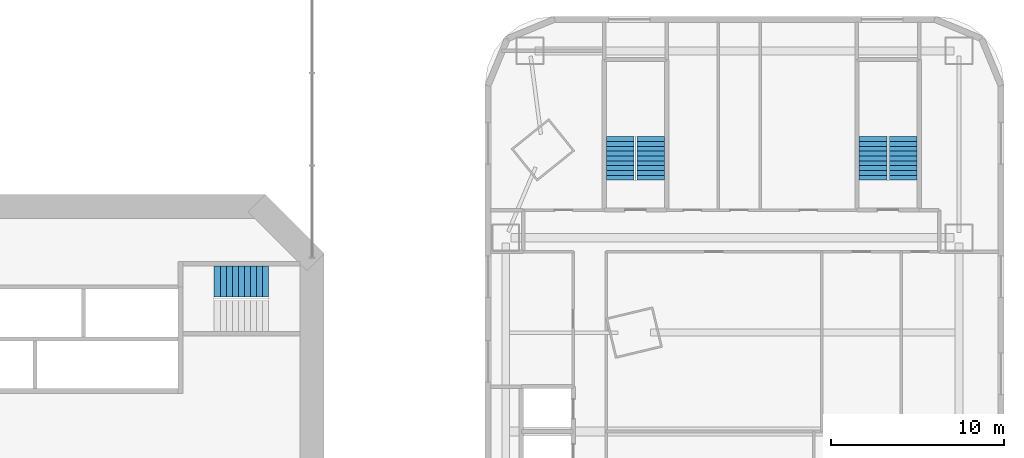
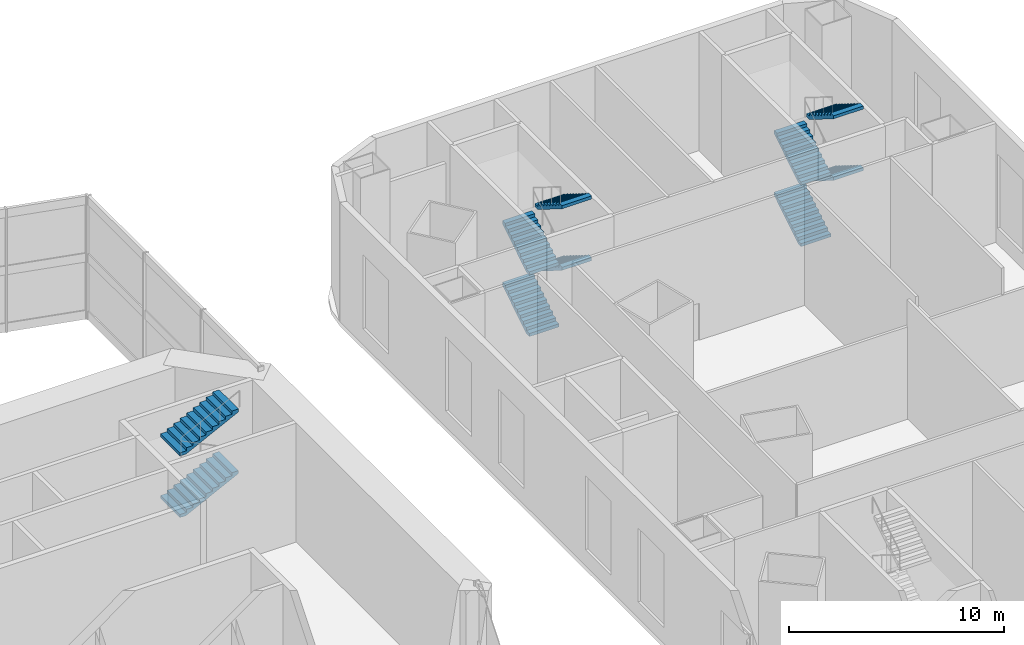
# One storey, part 17 of 19: 10 stair flights, 3 elements without a shape of their own.
"""IFC4 building model written with IfcOpenShell, lengths in metres."""

from ifc_helpers import new_model, si_unit, direction, frame, origin, place, context, subcontext, project, spatial, polyline, outline, extrude, material, type_object, element, aggregate, save


model = new_model("IFC4")

# Units and contexts
model_context = context("Model", 3, precision=1e-05, world=origin(), true_north=direction((0.0, 1.0)))
body_context = subcontext(model_context, "Body", "Model", "MODEL_VIEW")
ifc_project = project(units=[si_unit("LENGTHUNIT", "METRE"), si_unit("AREAUNIT", "SQUARE_METRE"), si_unit("VOLUMEUNIT", "CUBIC_METRE"), si_unit("PLANEANGLEUNIT", "RADIAN"), si_unit("MASSUNIT", "GRAM", prefix="KILO")], contexts=[model_context])

# Site, building, storey
site_placement = place(None, origin())
site = spatial("IfcSite", under=ifc_project, at=site_placement, CompositionType="ELEMENT")
building_placement = place(site_placement, origin())
building = spatial("IfcBuilding", under=site, at=building_placement, Name="Marenthal Gate Tower", CompositionType="ELEMENT")
storey_placement = place(building_placement, frame((0.0, 0.0, 12.0)))
storey = spatial("IfcBuildingStorey", under=building, at=storey_placement, Name="L01", CompositionType="ELEMENT", Elevation=12.0)

# Stair, stair flights
ifc_material_1 = material(Name="Concrete 40 MPa", Category="concrete")
stair_type_1 = type_object("IfcStairType", Name="Exit stair 1600", PredefinedType="HALF_TURN_STAIR", material=ifc_material_1)
stair_1_placement = place(storey_placement, origin())
stair_1 = element("IfcStair", 1, at=stair_1_placement, inside=storey, type_object=stair_type_1, Name="Stair E1", PredefinedType="HALF_TURN_STAIR")
ifc_material_2 = material(Name="Concrete 40 MPa", Category="concrete")
stair_flight_type_1 = type_object("IfcStairFlightType", Name="Stair flight 1600", PredefinedType="STRAIGHT", material=ifc_material_2)
stair_flight_1_placement = place(storey_placement, frame((33.824951171875, 14.52490234375, 0.0), z_axis=(0.0, 0.0, 1.0), x_axis=(0.0, 1.0, 0.0)))
stair_flight_1 = element("IfcStairFlight", 2, at=stair_flight_1_placement, type_object=stair_flight_type_1, Name="E1 flight 1", NumberOfRisers=10, NumberOfTreads=9, PredefinedType="STRAIGHT", RiserHeight=0.175, TreadLength=0.28, context=body_context, shape_type="SweptSolid", body=[
    extrude(outline(polyline([(0.0, 0.0), (0.0, 0.175048828125), (0.280029296875, 0.175048828125), (0.280029296875, 0.35009765625), (0.56005859375, 0.35009765625), (0.56005859375, 0.52490234375), (0.840087890625, 0.52490234375), (0.840087890625, 0.699951171875), (1.1201171875, 0.699951171875), (1.1201171875, 0.875), (1.39990234375, 0.875), (1.39990234375, 1.050048828125), (1.679931640625, 1.050048828125), (1.679931640625, 1.22509765625), (1.9599609375, 1.22509765625), (1.9599609375, 1.39990234375), (2.239990234375, 1.39990234375), (2.239990234375, 1.574951171875), (2.52001953125, 1.574951171875), (2.52001953125, 1.75), (2.52001953125, 1.398193359375), (0.28271484375, 0.0), (0.0, 0.0)])), frame((0.0, 0.800048828125, 0.0), z_axis=(0.0, -1.0, 0.0), x_axis=(1.0, 0.0, 0.0)), (0.0, 0.0, 1.0), 1.60009765625),
])
stair_flight_2_placement = place(storey_placement, frame((35.574951171875, 17.044921875, 1.75), z_axis=(0.0, 0.0, 1.0), x_axis=(0.0, -1.0, 0.0)))
stair_flight_2 = element("IfcStairFlight", 3, at=stair_flight_2_placement, type_object=stair_flight_type_1, Name="E1 flight 2", NumberOfRisers=10, NumberOfTreads=9, PredefinedType="STRAIGHT", RiserHeight=0.175, TreadLength=0.28, context=body_context, shape_type="SweptSolid", body=[
    extrude(outline(polyline([(0.0, 0.0), (0.0, 0.175048828125), (0.280029296875, 0.175048828125), (0.280029296875, 0.35009765625), (0.56005859375, 0.35009765625), (0.56005859375, 0.52490234375), (0.840087890625, 0.52490234375), (0.840087890625, 0.699951171875), (1.1201171875, 0.699951171875), (1.1201171875, 0.875), (1.39990234375, 0.875), (1.39990234375, 1.050048828125), (1.679931640625, 1.050048828125), (1.679931640625, 1.22509765625), (1.9599609375, 1.22509765625), (1.9599609375, 1.39990234375), (2.239990234375, 1.39990234375), (2.239990234375, 1.574951171875), (2.52001953125, 1.574951171875), (2.52001953125, 1.75), (2.52001953125, 1.398193359375), (0.28271484375, 0.0), (0.0, 0.0)])), frame((0.0, 0.800048828125, 0.0), z_axis=(0.0, -1.0, 0.0), x_axis=(1.0, 0.0, 0.0)), (0.0, 0.0, 1.0), 1.60009765625),
])
stair_flight_3_placement = place(storey_placement, frame((33.824951171875, 14.52490234375, 3.5), z_axis=(0.0, 0.0, 1.0), x_axis=(0.0, 1.0, 0.0)))
stair_flight_3 = element("IfcStairFlight", 4, at=stair_flight_3_placement, type_object=stair_flight_type_1, Name="E1 flight 3", NumberOfRisers=10, NumberOfTreads=9, PredefinedType="STRAIGHT", RiserHeight=0.175, TreadLength=0.28, context=body_context, shape_type="SweptSolid", body=[
    extrude(outline(polyline([(0.0, 0.0), (0.0, 0.175048828125), (0.280029296875, 0.175048828125), (0.280029296875, 0.35009765625), (0.56005859375, 0.35009765625), (0.56005859375, 0.52490234375), (0.840087890625, 0.52490234375), (0.840087890625, 0.699951171875), (1.1201171875, 0.699951171875), (1.1201171875, 0.875), (1.39990234375, 0.875), (1.39990234375, 1.050048828125), (1.679931640625, 1.050048828125), (1.679931640625, 1.22509765625), (1.9599609375, 1.22509765625), (1.9599609375, 1.39990234375), (2.239990234375, 1.39990234375), (2.239990234375, 1.574951171875), (2.52001953125, 1.574951171875), (2.52001953125, 1.75), (2.52001953125, 1.398193359375), (0.28271484375, 0.0), (0.0, 0.0)])), frame((0.0, 0.800048828125, 0.0), z_axis=(0.0, -1.0, 0.0), x_axis=(1.0, 0.0, 0.0)), (0.0, 0.0, 1.0), 1.60009765625),
])
stair_flight_4_placement = place(storey_placement, frame((35.574951171875, 17.044921875, 5.25), z_axis=(0.0, 0.0, 1.0), x_axis=(0.0, -1.0, 0.0)))
stair_flight_4 = element("IfcStairFlight", 5, at=stair_flight_4_placement, type_object=stair_flight_type_1, Name="E1 flight 4", NumberOfRisers=10, NumberOfTreads=9, PredefinedType="STRAIGHT", RiserHeight=0.175, TreadLength=0.28, context=body_context, shape_type="SweptSolid", body=[
    extrude(outline(polyline([(0.0, 0.0), (0.0, 0.175048828125), (0.280029296875, 0.175048828125), (0.280029296875, 0.35009765625), (0.56005859375, 0.35009765625), (0.56005859375, 0.52490234375), (0.840087890625, 0.52490234375), (0.840087890625, 0.699951171875), (1.1201171875, 0.699951171875), (1.1201171875, 0.875), (1.39990234375, 0.875), (1.39990234375, 1.050048828125), (1.679931640625, 1.050048828125), (1.679931640625, 1.22509765625), (1.9599609375, 1.22509765625), (1.9599609375, 1.39990234375), (2.239990234375, 1.39990234375), (2.239990234375, 1.574951171875), (2.52001953125, 1.574951171875), (2.52001953125, 1.75), (2.52001953125, 1.398193359375), (0.28271484375, 0.0), (0.0, 0.0)])), frame((0.0, 0.800048828125, 0.0), z_axis=(0.0, -1.0, 0.0), x_axis=(1.0, 0.0, 0.0)), (0.0, 0.0, 1.0), 1.60009765625),
])
aggregate(stair_1, [stair_flight_1, stair_flight_2, stair_flight_3, stair_flight_4])

stair_2_placement = place(storey_placement, origin())
stair_2 = element("IfcStair", 6, at=stair_2_placement, inside=storey, type_object=stair_type_1, Name="Stair E3", PredefinedType="HALF_TURN_STAIR")
stair_flight_5_placement = place(storey_placement, frame((48.425048828125, 14.52490234375, 0.0), z_axis=(0.0, 0.0, 1.0), x_axis=(0.0, 1.0, 0.0)))
stair_flight_5 = element("IfcStairFlight", 7, at=stair_flight_5_placement, type_object=stair_flight_type_1, Name="E3 flight 1", NumberOfRisers=10, NumberOfTreads=9, PredefinedType="STRAIGHT", RiserHeight=0.175, TreadLength=0.28, context=body_context, shape_type="SweptSolid", body=[
    extrude(outline(polyline([(0.0, 0.0), (0.0, 0.175048828125), (0.280029296875, 0.175048828125), (0.280029296875, 0.35009765625), (0.56005859375, 0.35009765625), (0.56005859375, 0.52490234375), (0.840087890625, 0.52490234375), (0.840087890625, 0.699951171875), (1.1201171875, 0.699951171875), (1.1201171875, 0.875), (1.39990234375, 0.875), (1.39990234375, 1.050048828125), (1.679931640625, 1.050048828125), (1.679931640625, 1.22509765625), (1.9599609375, 1.22509765625), (1.9599609375, 1.39990234375), (2.239990234375, 1.39990234375), (2.239990234375, 1.574951171875), (2.52001953125, 1.574951171875), (2.52001953125, 1.75), (2.52001953125, 1.398193359375), (0.28271484375, 0.0), (0.0, 0.0)])), frame((0.0, 0.800048828125, 0.0), z_axis=(0.0, -1.0, 0.0), x_axis=(1.0, 0.0, 0.0)), (0.0, 0.0, 1.0), 1.60009765625),
])
stair_flight_6_placement = place(storey_placement, frame((50.175048828125, 17.044921875, 1.75), z_axis=(0.0, 0.0, 1.0), x_axis=(0.0, -1.0, 0.0)))
stair_flight_6 = element("IfcStairFlight", 8, at=stair_flight_6_placement, type_object=stair_flight_type_1, Name="E3 flight 2", NumberOfRisers=10, NumberOfTreads=9, PredefinedType="STRAIGHT", RiserHeight=0.175, TreadLength=0.28, context=body_context, shape_type="SweptSolid", body=[
    extrude(outline(polyline([(0.0, 0.0), (0.0, 0.175048828125), (0.280029296875, 0.175048828125), (0.280029296875, 0.35009765625), (0.56005859375, 0.35009765625), (0.56005859375, 0.52490234375), (0.840087890625, 0.52490234375), (0.840087890625, 0.699951171875), (1.1201171875, 0.699951171875), (1.1201171875, 0.875), (1.39990234375, 0.875), (1.39990234375, 1.050048828125), (1.679931640625, 1.050048828125), (1.679931640625, 1.22509765625), (1.9599609375, 1.22509765625), (1.9599609375, 1.39990234375), (2.239990234375, 1.39990234375), (2.239990234375, 1.574951171875), (2.52001953125, 1.574951171875), (2.52001953125, 1.75), (2.52001953125, 1.398193359375), (0.28271484375, 0.0), (0.0, 0.0)])), frame((0.0, 0.800048828125, 0.0), z_axis=(0.0, -1.0, 0.0), x_axis=(1.0, 0.0, 0.0)), (0.0, 0.0, 1.0), 1.60009765625),
])
stair_flight_7_placement = place(storey_placement, frame((48.425048828125, 14.52490234375, 3.5), z_axis=(0.0, 0.0, 1.0), x_axis=(0.0, 1.0, 0.0)))
stair_flight_7 = element("IfcStairFlight", 9, at=stair_flight_7_placement, type_object=stair_flight_type_1, Name="E3 flight 3", NumberOfRisers=10, NumberOfTreads=9, PredefinedType="STRAIGHT", RiserHeight=0.175, TreadLength=0.28, context=body_context, shape_type="SweptSolid", body=[
    extrude(outline(polyline([(0.0, 0.0), (0.0, 0.175048828125), (0.280029296875, 0.175048828125), (0.280029296875, 0.35009765625), (0.56005859375, 0.35009765625), (0.56005859375, 0.52490234375), (0.840087890625, 0.52490234375), (0.840087890625, 0.699951171875), (1.1201171875, 0.699951171875), (1.1201171875, 0.875), (1.39990234375, 0.875), (1.39990234375, 1.050048828125), (1.679931640625, 1.050048828125), (1.679931640625, 1.22509765625), (1.9599609375, 1.22509765625), (1.9599609375, 1.39990234375), (2.239990234375, 1.39990234375), (2.239990234375, 1.574951171875), (2.52001953125, 1.574951171875), (2.52001953125, 1.75), (2.52001953125, 1.398193359375), (0.28271484375, 0.0), (0.0, 0.0)])), frame((0.0, 0.800048828125, 0.0), z_axis=(0.0, -1.0, 0.0), x_axis=(1.0, 0.0, 0.0)), (0.0, 0.0, 1.0), 1.60009765625),
])
stair_flight_8_placement = place(storey_placement, frame((50.175048828125, 17.044921875, 5.25), z_axis=(0.0, 0.0, 1.0), x_axis=(0.0, -1.0, 0.0)))
stair_flight_8 = element("IfcStairFlight", 10, at=stair_flight_8_placement, type_object=stair_flight_type_1, Name="E3 flight 4", NumberOfRisers=10, NumberOfTreads=9, PredefinedType="STRAIGHT", RiserHeight=0.175, TreadLength=0.28, context=body_context, shape_type="SweptSolid", body=[
    extrude(outline(polyline([(0.0, 0.0), (0.0, 0.175048828125), (0.280029296875, 0.175048828125), (0.280029296875, 0.35009765625), (0.56005859375, 0.35009765625), (0.56005859375, 0.52490234375), (0.840087890625, 0.52490234375), (0.840087890625, 0.699951171875), (1.1201171875, 0.699951171875), (1.1201171875, 0.875), (1.39990234375, 0.875), (1.39990234375, 1.050048828125), (1.679931640625, 1.050048828125), (1.679931640625, 1.22509765625), (1.9599609375, 1.22509765625), (1.9599609375, 1.39990234375), (2.239990234375, 1.39990234375), (2.239990234375, 1.574951171875), (2.52001953125, 1.574951171875), (2.52001953125, 1.75), (2.52001953125, 1.398193359375), (0.28271484375, 0.0), (0.0, 0.0)])), frame((0.0, 0.800048828125, 0.0), z_axis=(0.0, -1.0, 0.0), x_axis=(1.0, 0.0, 0.0)), (0.0, 0.0, 1.0), 1.60009765625),
])
aggregate(stair_2, [stair_flight_5, stair_flight_6, stair_flight_7, stair_flight_8])

ifc_material_3 = material(Name="Concrete 40 MPa", Category="concrete")
stair_type_2 = type_object("IfcStairType", Name="Exit stair 1800", PredefinedType="HALF_TURN_STAIR", material=ifc_material_3)
stair_3_placement = place(storey_placement, origin())
stair_3 = element("IfcStair", 11, at=stair_3_placement, inside=storey, type_object=stair_type_2, Name="Stair ST3", PredefinedType="HALF_TURN_STAIR")
ifc_material_4 = material(Name="Concrete 40 MPa", Category="concrete")
stair_flight_type_2 = type_object("IfcStairFlightType", Name="Stair flight 1800", PredefinedType="STRAIGHT", material=ifc_material_4)
stair_flight_9_placement = place(storey_placement, frame((10.35009765625, 8.675048828125, 1.75), z_axis=(0.0, 0.0, 1.0), x_axis=(1.0, 0.0, 0.0)))
stair_flight_9 = element("IfcStairFlight", 12, at=stair_flight_9_placement, type_object=stair_flight_type_2, Name="ST3 flight 2", NumberOfRisers=10, NumberOfTreads=9, PredefinedType="STRAIGHT", RiserHeight=0.175, TreadLength=0.35, context=body_context, shape_type="SweptSolid", body=[
    extrude(outline(polyline([(0.0, 0.0), (0.0, 0.175048828125), (0.35009765625, 0.175048828125), (0.35009765625, 0.35009765625), (0.699951171875, 0.35009765625), (0.699951171875, 0.52490234375), (1.050048828125, 0.52490234375), (1.050048828125, 0.699951171875), (1.39990234375, 0.699951171875), (1.39990234375, 0.875), (1.75, 0.875), (1.75, 1.050048828125), (2.10009765625, 1.050048828125), (2.10009765625, 1.22509765625), (2.449951171875, 1.22509765625), (2.449951171875, 1.39990234375), (2.800048828125, 1.39990234375), (2.800048828125, 1.574951171875), (3.14990234375, 1.574951171875), (3.14990234375, 1.75), (3.14990234375, 1.407470703125), (0.335205078125, 0.0), (0.0, 0.0)])), frame((0.0, 0.89990234375, 0.0), z_axis=(0.0, -1.0, 0.0), x_axis=(1.0, 0.0, 0.0)), (0.0, 0.0, 1.0), 1.800048828125),
])
stair_flight_10_placement = place(storey_placement, frame((10.35009765625, 8.675048828125, 5.25), z_axis=(0.0, 0.0, 1.0), x_axis=(1.0, 0.0, 0.0)))
stair_flight_10 = element("IfcStairFlight", 13, at=stair_flight_10_placement, type_object=stair_flight_type_2, Name="ST3 flight 4", NumberOfRisers=10, NumberOfTreads=9, PredefinedType="STRAIGHT", RiserHeight=0.175, TreadLength=0.35, context=body_context, shape_type="SweptSolid", body=[
    extrude(outline(polyline([(0.0, 0.0), (0.0, 0.175048828125), (0.35009765625, 0.175048828125), (0.35009765625, 0.35009765625), (0.699951171875, 0.35009765625), (0.699951171875, 0.52490234375), (1.050048828125, 0.52490234375), (1.050048828125, 0.699951171875), (1.39990234375, 0.699951171875), (1.39990234375, 0.875), (1.75, 0.875), (1.75, 1.050048828125), (2.10009765625, 1.050048828125), (2.10009765625, 1.22509765625), (2.449951171875, 1.22509765625), (2.449951171875, 1.39990234375), (2.800048828125, 1.39990234375), (2.800048828125, 1.574951171875), (3.14990234375, 1.574951171875), (3.14990234375, 1.75), (3.14990234375, 1.407470703125), (0.335205078125, 0.0), (0.0, 0.0)])), frame((0.0, 0.89990234375, 0.0), z_axis=(0.0, -1.0, 0.0), x_axis=(1.0, 0.0, 0.0)), (0.0, 0.0, 1.0), 1.800048828125),
])
aggregate(stair_3, [stair_flight_9, stair_flight_10])

save(model, "model.ifc")
